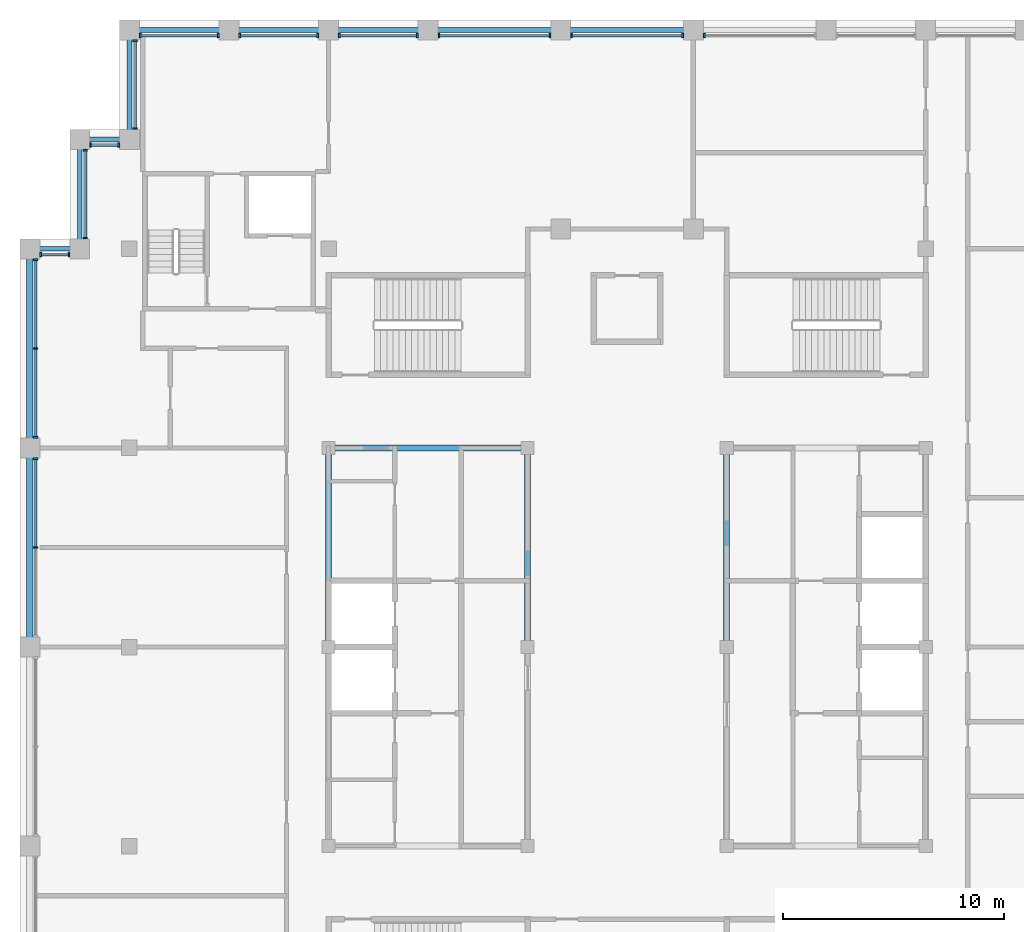
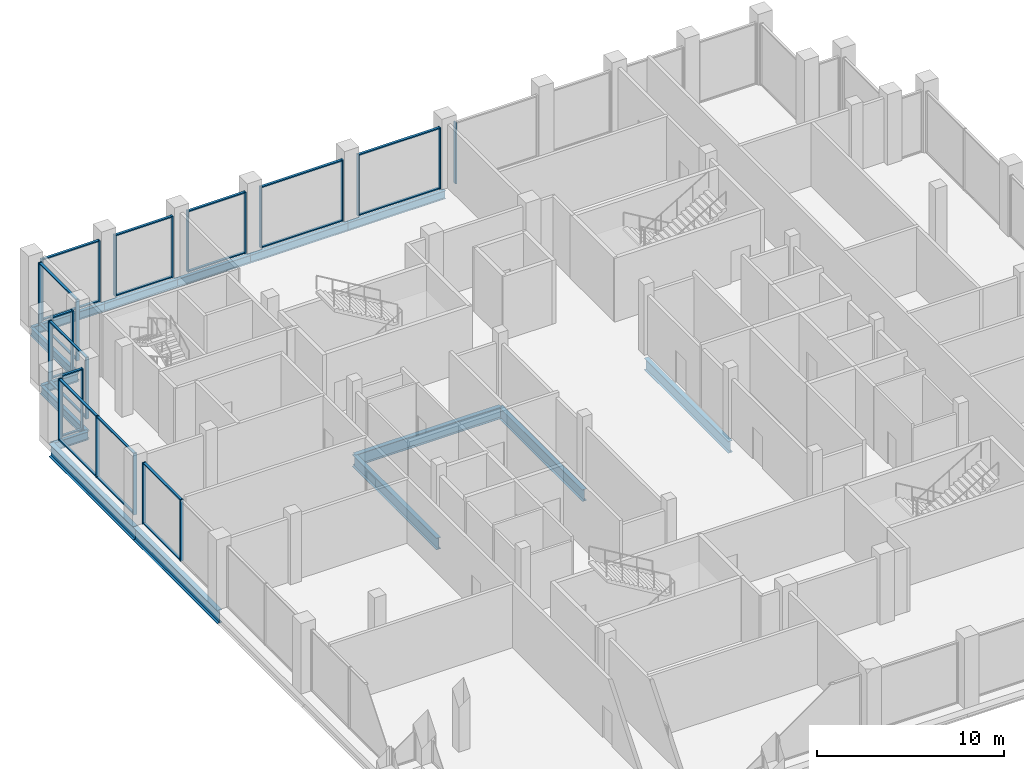
# One storey, part 5 of 13: 48 members, 15 beams, 12 elements without a shape of their own.
"""IFC4 building model written with IfcOpenShell, lengths in metres."""

from ifc_helpers import new_model, si_unit, direction, frame, origin, origin_2d, place, context, subcontext, project, spatial, rectangle, i_section, extrude, material, layer, layer_set, material_profile, profile_set, type_object, element, aggregate, save


model = new_model("IFC4")

# Units and contexts
model_context = context("Model", 3, precision=1e-05, world=origin(), true_north=direction((0.0, 1.0)))
body_context = subcontext(model_context, "Body", "Model", "MODEL_VIEW")
ifc_project = project(units=[si_unit("LENGTHUNIT", "METRE"), si_unit("AREAUNIT", "SQUARE_METRE"), si_unit("VOLUMEUNIT", "CUBIC_METRE"), si_unit("PLANEANGLEUNIT", "RADIAN"), si_unit("MASSUNIT", "GRAM", prefix="KILO")], contexts=[model_context])

# Site, building, storey
site_placement = place(None, origin())
site = spatial("IfcSite", under=ifc_project, at=site_placement, CompositionType="ELEMENT")
building_placement = place(site_placement, origin())
building = spatial("IfcBuilding", under=site, at=building_placement, Name="Corbelhall Arena Tower", CompositionType="ELEMENT")
storey_placement = place(building_placement, frame((0.0, 0.0, 361.0)))
storey = spatial("IfcBuildingStorey", under=building, at=storey_placement, Name="L79", CompositionType="ELEMENT", Elevation=361.0)

# Curtain wall, members
ifc_material_1 = material(Name="Aluminium black anodised", Category="aluminium")
ifc_layer = layer(ifc_material_1, 0.179931640625)
ifc_layer_set = layer_set([ifc_layer], Name="EV-CW3 Crown glazing")
curtain_wall_type = type_object("IfcCurtainWallType", Name="EV-CW3 Crown glazing", PredefinedType="NOTDEFINED", material=ifc_layer_set)
curtain_wall_1_placement = place(storey_placement, origin())
curtain_wall_1 = element("IfcCurtainWall", 1, at=curtain_wall_1_placement, inside=storey, type_object=curtain_wall_type, Name="Curtain wall CW3", PredefinedType="NOTDEFINED")
ifc_material_profile_1 = material_profile(ifc_material_1, rectangle(XDim=0.199951171875, YDim=0.074951171875, at=origin_2d()))
ifc_profile_set_1 = profile_set([ifc_material_profile_1], Name="Aluminium black anodised")
member_type_1 = type_object("IfcMemberType", Name="EV-CW3-MULLION", PredefinedType="MULLION", material=ifc_profile_set_1)
member_1_placement = place(storey_placement, frame((-24.5, 22.46240234375, 0.0), z_axis=(0.0, 0.0, 1.0), x_axis=(1.0, 0.0, 0.0)))
member_1 = element("IfcMember", 2, at=member_1_placement, type_object=member_type_1, Name="CW3 mullion 1", PredefinedType="MULLION", context=body_context, shape_type="SweptSolid", body=[
    extrude(rectangle(XDim=0.199951171875, YDim=0.074951171875, at=origin_2d()), origin(), (0.0, 0.0, 1.0), 3.99951171875),
])
member_2_placement = place(storey_placement, frame((-24.5, 18.487548828125, 0.0), z_axis=(0.0, 0.0, 1.0), x_axis=(1.0, 0.0, 0.0)))
member_2 = element("IfcMember", 3, at=member_2_placement, type_object=member_type_1, Name="CW3 mullion 2", PredefinedType="MULLION", context=body_context, shape_type="SweptSolid", body=[
    extrude(rectangle(XDim=0.199951171875, YDim=0.074951171875, at=origin_2d()), origin(), (0.0, 0.0, 1.0), 3.99951171875),
])

curtain_wall_2_placement = place(storey_placement, origin())
curtain_wall_2 = element("IfcCurtainWall", 4, at=curtain_wall_2_placement, inside=storey, type_object=curtain_wall_type, Name="Curtain wall CW3B", PredefinedType="NOTDEFINED")
member_3_placement = place(storey_placement, frame((-25.237548828125, 17.75, 0.0), z_axis=(0.0, 0.0, 1.0), x_axis=(0.0, -1.0, 0.0)))
member_3 = element("IfcMember", 5, at=member_3_placement, type_object=member_type_1, Name="CW3B mullion 1", PredefinedType="MULLION", context=body_context, shape_type="SweptSolid", body=[
    extrude(rectangle(XDim=0.199951171875, YDim=0.074951171875, at=origin_2d()), origin(), (0.0, 0.0, 1.0), 3.99951171875),
])
member_4_placement = place(storey_placement, frame((-26.512451171875, 17.75, 0.0), z_axis=(0.0, 0.0, 1.0), x_axis=(0.0, -1.0, 0.0)))
member_4 = element("IfcMember", 6, at=member_4_placement, type_object=member_type_1, Name="CW3B mullion 2", PredefinedType="MULLION", context=body_context, shape_type="SweptSolid", body=[
    extrude(rectangle(XDim=0.199951171875, YDim=0.074951171875, at=origin_2d()), origin(), (0.0, 0.0, 1.0), 3.99951171875),
])

curtain_wall_3_placement = place(storey_placement, origin())
curtain_wall_3 = element("IfcCurtainWall", 7, at=curtain_wall_3_placement, inside=storey, type_object=curtain_wall_type, Name="Curtain wall CW3", PredefinedType="NOTDEFINED")
member_5_placement = place(storey_placement, frame((-26.75, 17.512451171875, 0.0), z_axis=(0.0, 0.0, 1.0), x_axis=(1.0, 0.0, 0.0)))
member_5 = element("IfcMember", 8, at=member_5_placement, type_object=member_type_1, Name="CW3 mullion 1", PredefinedType="MULLION", context=body_context, shape_type="SweptSolid", body=[
    extrude(rectangle(XDim=0.199951171875, YDim=0.074951171875, at=origin_2d()), origin(), (0.0, 0.0, 1.0), 3.99951171875),
])
member_6_placement = place(storey_placement, frame((-26.75, 13.5, 0.0), z_axis=(0.0, 0.0, 1.0), x_axis=(1.0, 0.0, 0.0)))
member_6 = element("IfcMember", 9, at=member_6_placement, type_object=member_type_1, Name="CW3 mullion 2", PredefinedType="MULLION", context=body_context, shape_type="SweptSolid", body=[
    extrude(rectangle(XDim=0.199951171875, YDim=0.074951171875, at=origin_2d()), origin(), (0.0, 0.0, 1.0), 3.99951171875),
])
member_7_placement = place(storey_placement, frame((-26.75, 9.487548828125, 0.0), z_axis=(0.0, 0.0, 1.0), x_axis=(1.0, 0.0, 0.0)))
member_7 = element("IfcMember", 10, at=member_7_placement, type_object=member_type_1, Name="CW3 mullion 3", PredefinedType="MULLION", context=body_context, shape_type="SweptSolid", body=[
    extrude(rectangle(XDim=0.199951171875, YDim=0.074951171875, at=origin_2d()), origin(), (0.0, 0.0, 1.0), 3.99951171875),
])

curtain_wall_4_placement = place(storey_placement, origin())
curtain_wall_4 = element("IfcCurtainWall", 11, at=curtain_wall_4_placement, inside=storey, type_object=curtain_wall_type, Name="Curtain wall CW3", PredefinedType="NOTDEFINED")
member_8_placement = place(storey_placement, frame((-26.75, 8.512451171875, 0.0), z_axis=(0.0, 0.0, 1.0), x_axis=(1.0, 0.0, 0.0)))
member_8 = element("IfcMember", 12, at=member_8_placement, type_object=member_type_1, Name="CW3 mullion 1", PredefinedType="MULLION", context=body_context, shape_type="SweptSolid", body=[
    extrude(rectangle(XDim=0.199951171875, YDim=0.074951171875, at=origin_2d()), origin(), (0.0, 0.0, 1.0), 3.99951171875),
])
member_9_placement = place(storey_placement, frame((-26.75, 4.5, 0.0), z_axis=(0.0, 0.0, 1.0), x_axis=(1.0, 0.0, 0.0)))
member_9 = element("IfcMember", 13, at=member_9_placement, type_object=member_type_1, Name="CW3 mullion 2", PredefinedType="MULLION", context=body_context, shape_type="SweptSolid", body=[
    extrude(rectangle(XDim=0.199951171875, YDim=0.074951171875, at=origin_2d()), origin(), (0.0, 0.0, 1.0), 3.99951171875),
])

# Curtain wall, member
curtain_wall_5_placement = place(storey_placement, origin())
curtain_wall_5 = element("IfcCurtainWall", 14, at=curtain_wall_5_placement, inside=storey, type_object=curtain_wall_type, Name="Curtain wall CW3C", PredefinedType="NOTDEFINED")
member_10_placement = place(storey_placement, frame((3.487548828125, 27.64990234375, 0.0), z_axis=(0.0, 0.0, 1.0), x_axis=(0.0, -1.0, 0.0)))
member_10 = element("IfcMember", 15, at=member_10_placement, type_object=member_type_1, Name="CW3C mullion 2", PredefinedType="MULLION", context=body_context, shape_type="SweptSolid", body=[
    extrude(rectangle(XDim=0.199951171875, YDim=0.074951171875, at=origin_2d()), origin(), (0.0, 0.0, 1.0), 3.99951171875),
])
aggregate(curtain_wall_5, [member_10])

# Curtain wall, members
curtain_wall_6_placement = place(storey_placement, origin())
curtain_wall_6 = element("IfcCurtainWall", 16, at=curtain_wall_6_placement, inside=storey, type_object=curtain_wall_type, Name="Curtain wall CW3C", PredefinedType="NOTDEFINED")
member_11_placement = place(storey_placement, frame((2.512451171875, 27.64990234375, 0.0), z_axis=(0.0, 0.0, 1.0), x_axis=(0.0, -1.0, 0.0)))
member_11 = element("IfcMember", 17, at=member_11_placement, type_object=member_type_1, Name="CW3C mullion 1", PredefinedType="MULLION", context=body_context, shape_type="SweptSolid", body=[
    extrude(rectangle(XDim=0.199951171875, YDim=0.074951171875, at=origin_2d()), origin(), (0.0, 0.0, 1.0), 3.99951171875),
])
member_12_placement = place(storey_placement, frame((-2.512451171875, 27.64990234375, 0.0), z_axis=(0.0, 0.0, 1.0), x_axis=(0.0, -1.0, 0.0)))
member_12 = element("IfcMember", 18, at=member_12_placement, type_object=member_type_1, Name="CW3C mullion 2", PredefinedType="MULLION", context=body_context, shape_type="SweptSolid", body=[
    extrude(rectangle(XDim=0.199951171875, YDim=0.074951171875, at=origin_2d()), origin(), (0.0, 0.0, 1.0), 3.99951171875),
])

curtain_wall_7_placement = place(storey_placement, origin())
curtain_wall_7 = element("IfcCurtainWall", 19, at=curtain_wall_7_placement, inside=storey, type_object=curtain_wall_type, Name="Curtain wall CW3C", PredefinedType="NOTDEFINED")
member_13_placement = place(storey_placement, frame((-3.487548828125, 27.64990234375, 0.0), z_axis=(0.0, 0.0, 1.0), x_axis=(0.0, -1.0, 0.0)))
member_13 = element("IfcMember", 20, at=member_13_placement, type_object=member_type_1, Name="CW3C mullion 1", PredefinedType="MULLION", context=body_context, shape_type="SweptSolid", body=[
    extrude(rectangle(XDim=0.199951171875, YDim=0.074951171875, at=origin_2d()), origin(), (0.0, 0.0, 1.0), 3.99951171875),
])
member_14_placement = place(storey_placement, frame((-8.512451171875, 27.64990234375, 0.0), z_axis=(0.0, 0.0, 1.0), x_axis=(0.0, -1.0, 0.0)))
member_14 = element("IfcMember", 21, at=member_14_placement, type_object=member_type_1, Name="CW3C mullion 2", PredefinedType="MULLION", context=body_context, shape_type="SweptSolid", body=[
    extrude(rectangle(XDim=0.199951171875, YDim=0.074951171875, at=origin_2d()), origin(), (0.0, 0.0, 1.0), 3.99951171875),
])

curtain_wall_8_placement = place(storey_placement, origin())
curtain_wall_8 = element("IfcCurtainWall", 22, at=curtain_wall_8_placement, inside=storey, type_object=curtain_wall_type, Name="Curtain wall CW3A", PredefinedType="NOTDEFINED")
member_15_placement = place(storey_placement, frame((-9.487548828125, 27.64990234375, 0.0), z_axis=(0.0, 0.0, 1.0), x_axis=(0.0, -1.0, 0.0)))
member_15 = element("IfcMember", 23, at=member_15_placement, type_object=member_type_1, Name="CW3A mullion 1", PredefinedType="MULLION", context=body_context, shape_type="SweptSolid", body=[
    extrude(rectangle(XDim=0.199951171875, YDim=0.074951171875, at=origin_2d()), origin(), (0.0, 0.0, 1.0), 3.99951171875),
])
member_16_placement = place(storey_placement, frame((-13.012451171875, 27.64990234375, 0.0), z_axis=(0.0, 0.0, 1.0), x_axis=(0.0, -1.0, 0.0)))
member_16 = element("IfcMember", 24, at=member_16_placement, type_object=member_type_1, Name="CW3A mullion 2", PredefinedType="MULLION", context=body_context, shape_type="SweptSolid", body=[
    extrude(rectangle(XDim=0.199951171875, YDim=0.074951171875, at=origin_2d()), origin(), (0.0, 0.0, 1.0), 3.99951171875),
])

curtain_wall_9_placement = place(storey_placement, origin())
curtain_wall_9 = element("IfcCurtainWall", 25, at=curtain_wall_9_placement, inside=storey, type_object=curtain_wall_type, Name="Curtain wall CW3A", PredefinedType="NOTDEFINED")
member_17_placement = place(storey_placement, frame((-13.987548828125, 27.64990234375, 0.0), z_axis=(0.0, 0.0, 1.0), x_axis=(0.0, -1.0, 0.0)))
member_17 = element("IfcMember", 26, at=member_17_placement, type_object=member_type_1, Name="CW3A mullion 1", PredefinedType="MULLION", context=body_context, shape_type="SweptSolid", body=[
    extrude(rectangle(XDim=0.199951171875, YDim=0.074951171875, at=origin_2d()), origin(), (0.0, 0.0, 1.0), 3.99951171875),
])
member_18_placement = place(storey_placement, frame((-17.512451171875, 27.64990234375, 0.0), z_axis=(0.0, 0.0, 1.0), x_axis=(0.0, -1.0, 0.0)))
member_18 = element("IfcMember", 27, at=member_18_placement, type_object=member_type_1, Name="CW3A mullion 2", PredefinedType="MULLION", context=body_context, shape_type="SweptSolid", body=[
    extrude(rectangle(XDim=0.199951171875, YDim=0.074951171875, at=origin_2d()), origin(), (0.0, 0.0, 1.0), 3.99951171875),
])

curtain_wall_10_placement = place(storey_placement, origin())
curtain_wall_10 = element("IfcCurtainWall", 28, at=curtain_wall_10_placement, inside=storey, type_object=curtain_wall_type, Name="Curtain wall CW3A", PredefinedType="NOTDEFINED")
member_19_placement = place(storey_placement, frame((-18.487548828125, 27.64990234375, 0.0), z_axis=(0.0, 0.0, 1.0), x_axis=(0.0, -1.0, 0.0)))
member_19 = element("IfcMember", 29, at=member_19_placement, type_object=member_type_1, Name="CW3A mullion 1", PredefinedType="MULLION", context=body_context, shape_type="SweptSolid", body=[
    extrude(rectangle(XDim=0.199951171875, YDim=0.074951171875, at=origin_2d()), origin(), (0.0, 0.0, 1.0), 3.99951171875),
])
member_20_placement = place(storey_placement, frame((-22.012451171875, 27.64990234375, 0.0), z_axis=(0.0, 0.0, 1.0), x_axis=(0.0, -1.0, 0.0)))
member_20 = element("IfcMember", 30, at=member_20_placement, type_object=member_type_1, Name="CW3A mullion 2", PredefinedType="MULLION", context=body_context, shape_type="SweptSolid", body=[
    extrude(rectangle(XDim=0.199951171875, YDim=0.074951171875, at=origin_2d()), origin(), (0.0, 0.0, 1.0), 3.99951171875),
])

curtain_wall_11_placement = place(storey_placement, origin())
curtain_wall_11 = element("IfcCurtainWall", 31, at=curtain_wall_11_placement, inside=storey, type_object=curtain_wall_type, Name="Curtain wall CW3", PredefinedType="NOTDEFINED")
member_21_placement = place(storey_placement, frame((-22.25, 27.41259765625, 0.0), z_axis=(0.0, 0.0, 1.0), x_axis=(1.0, 0.0, 0.0)))
member_21 = element("IfcMember", 32, at=member_21_placement, type_object=member_type_1, Name="CW3 mullion 1", PredefinedType="MULLION", context=body_context, shape_type="SweptSolid", body=[
    extrude(rectangle(XDim=0.199951171875, YDim=0.074951171875, at=origin_2d()), origin(), (0.0, 0.0, 1.0), 3.99951171875),
])
member_22_placement = place(storey_placement, frame((-22.25, 23.4375, 0.0), z_axis=(0.0, 0.0, 1.0), x_axis=(1.0, 0.0, 0.0)))
member_22 = element("IfcMember", 33, at=member_22_placement, type_object=member_type_1, Name="CW3 mullion 2", PredefinedType="MULLION", context=body_context, shape_type="SweptSolid", body=[
    extrude(rectangle(XDim=0.199951171875, YDim=0.074951171875, at=origin_2d()), origin(), (0.0, 0.0, 1.0), 3.99951171875),
])

curtain_wall_12_placement = place(storey_placement, origin())
curtain_wall_12 = element("IfcCurtainWall", 34, at=curtain_wall_12_placement, inside=storey, type_object=curtain_wall_type, Name="Curtain wall CW3B", PredefinedType="NOTDEFINED")
member_23_placement = place(storey_placement, frame((-22.987548828125, 22.699951171875, 0.0), z_axis=(0.0, 0.0, 1.0), x_axis=(0.0, -1.0, 0.0)))
member_23 = element("IfcMember", 35, at=member_23_placement, type_object=member_type_1, Name="CW3B mullion 1", PredefinedType="MULLION", context=body_context, shape_type="SweptSolid", body=[
    extrude(rectangle(XDim=0.199951171875, YDim=0.074951171875, at=origin_2d()), origin(), (0.0, 0.0, 1.0), 3.99951171875),
])
member_24_placement = place(storey_placement, frame((-24.262451171875, 22.699951171875, 0.0), z_axis=(0.0, 0.0, 1.0), x_axis=(0.0, -1.0, 0.0)))
member_24 = element("IfcMember", 36, at=member_24_placement, type_object=member_type_1, Name="CW3B mullion 2", PredefinedType="MULLION", context=body_context, shape_type="SweptSolid", body=[
    extrude(rectangle(XDim=0.199951171875, YDim=0.074951171875, at=origin_2d()), origin(), (0.0, 0.0, 1.0), 3.99951171875),
])

# Member
ifc_material_profile_2 = material_profile(ifc_material_1, rectangle(XDim=0.14990234375, YDim=0.074951171875, at=origin_2d()))
ifc_profile_set_2 = profile_set([ifc_material_profile_2], Name="Aluminium black anodised")
member_type_2 = type_object("IfcMemberType", Name="EV-CW3-TRANSOM", PredefinedType="USERDEFINED", material=ifc_profile_set_2)
member_25_placement = place(storey_placement, frame((-24.5, 22.425048828125, 0.03759765625), z_axis=(0.0, -1.0, 0.0), x_axis=(1.0, 0.0, 0.0)))
member_25 = element("IfcMember", 37, at=member_25_placement, type_object=member_type_2, Name="CW3 transom 1.1", ObjectType="transom", PredefinedType="USERDEFINED", context=body_context, shape_type="SweptSolid", body=[
    extrude(rectangle(XDim=0.14990234375, YDim=0.074951171875, at=origin_2d()), origin(), (0.0, 0.0, 1.0), 3.900146484375),
])

member_26_placement = place(storey_placement, frame((-24.5, 22.425048828125, 3.962158203125), z_axis=(0.0, -1.0, 0.0), x_axis=(1.0, 0.0, 0.0)))
member_26 = element("IfcMember", 38, at=member_26_placement, type_object=member_type_2, Name="CW3 transom 1.2", ObjectType="transom", PredefinedType="USERDEFINED", context=body_context, shape_type="SweptSolid", body=[
    extrude(rectangle(XDim=0.14990234375, YDim=0.074951171875, at=origin_2d()), origin(), (0.0, 0.0, 1.0), 3.900146484375),
])

aggregate(curtain_wall_1, [member_1, member_2, member_25, member_26])

member_27_placement = place(storey_placement, frame((-25.27490234375, 17.75, 0.03759765625), z_axis=(-1.0, 0.0, 0.0), x_axis=(0.0, -1.0, 0.0)))
member_27 = element("IfcMember", 39, at=member_27_placement, type_object=member_type_2, Name="CW3B transom 1.1", ObjectType="transom", PredefinedType="USERDEFINED", context=body_context, shape_type="SweptSolid", body=[
    extrude(rectangle(XDim=0.14990234375, YDim=0.074951171875, at=origin_2d()), origin(), (0.0, 0.0, 1.0), 1.2001953125),
])

member_28_placement = place(storey_placement, frame((-25.27490234375, 17.75, 3.962158203125), z_axis=(-1.0, 0.0, 0.0), x_axis=(0.0, -1.0, 0.0)))
member_28 = element("IfcMember", 40, at=member_28_placement, type_object=member_type_2, Name="CW3B transom 1.2", ObjectType="transom", PredefinedType="USERDEFINED", context=body_context, shape_type="SweptSolid", body=[
    extrude(rectangle(XDim=0.14990234375, YDim=0.074951171875, at=origin_2d()), origin(), (0.0, 0.0, 1.0), 1.2001953125),
])

aggregate(curtain_wall_2, [member_3, member_4, member_27, member_28])

member_29_placement = place(storey_placement, frame((-26.75, 17.47509765625, 0.03759765625), z_axis=(0.0, -1.0, 0.0), x_axis=(1.0, 0.0, 0.0)))
member_29 = element("IfcMember", 41, at=member_29_placement, type_object=member_type_2, Name="CW3 transom 1.1", ObjectType="transom", PredefinedType="USERDEFINED", context=body_context, shape_type="SweptSolid", body=[
    extrude(rectangle(XDim=0.14990234375, YDim=0.074951171875, at=origin_2d()), origin(), (0.0, 0.0, 1.0), 3.9375),
])

member_30_placement = place(storey_placement, frame((-26.75, 17.47509765625, 3.962158203125), z_axis=(0.0, -1.0, 0.0), x_axis=(1.0, 0.0, 0.0)))
member_30 = element("IfcMember", 42, at=member_30_placement, type_object=member_type_2, Name="CW3 transom 1.2", ObjectType="transom", PredefinedType="USERDEFINED", context=body_context, shape_type="SweptSolid", body=[
    extrude(rectangle(XDim=0.14990234375, YDim=0.074951171875, at=origin_2d()), origin(), (0.0, 0.0, 1.0), 3.9375),
])

member_31_placement = place(storey_placement, frame((-26.75, 13.46240234375, 0.03759765625), z_axis=(0.0, -1.0, 0.0), x_axis=(1.0, 0.0, 0.0)))
member_31 = element("IfcMember", 43, at=member_31_placement, type_object=member_type_2, Name="CW3 transom 2.1", ObjectType="transom", PredefinedType="USERDEFINED", context=body_context, shape_type="SweptSolid", body=[
    extrude(rectangle(XDim=0.14990234375, YDim=0.074951171875, at=origin_2d()), origin(), (0.0, 0.0, 1.0), 3.9375),
])

member_32_placement = place(storey_placement, frame((-26.75, 13.46240234375, 3.962158203125), z_axis=(0.0, -1.0, 0.0), x_axis=(1.0, 0.0, 0.0)))
member_32 = element("IfcMember", 44, at=member_32_placement, type_object=member_type_2, Name="CW3 transom 2.2", ObjectType="transom", PredefinedType="USERDEFINED", context=body_context, shape_type="SweptSolid", body=[
    extrude(rectangle(XDim=0.14990234375, YDim=0.074951171875, at=origin_2d()), origin(), (0.0, 0.0, 1.0), 3.9375),
])

aggregate(curtain_wall_3, [member_5, member_6, member_7, member_29, member_30, member_31, member_32])

member_33_placement = place(storey_placement, frame((-26.75, 8.47509765625, 0.03759765625), z_axis=(0.0, -1.0, 0.0), x_axis=(1.0, 0.0, 0.0)))
member_33 = element("IfcMember", 45, at=member_33_placement, type_object=member_type_2, Name="CW3 transom 1.1", ObjectType="transom", PredefinedType="USERDEFINED", context=body_context, shape_type="SweptSolid", body=[
    extrude(rectangle(XDim=0.14990234375, YDim=0.074951171875, at=origin_2d()), origin(), (0.0, 0.0, 1.0), 3.9375),
])

member_34_placement = place(storey_placement, frame((-26.75, 8.47509765625, 3.962158203125), z_axis=(0.0, -1.0, 0.0), x_axis=(1.0, 0.0, 0.0)))
member_34 = element("IfcMember", 46, at=member_34_placement, type_object=member_type_2, Name="CW3 transom 1.2", ObjectType="transom", PredefinedType="USERDEFINED", context=body_context, shape_type="SweptSolid", body=[
    extrude(rectangle(XDim=0.14990234375, YDim=0.074951171875, at=origin_2d()), origin(), (0.0, 0.0, 1.0), 3.9375),
])

aggregate(curtain_wall_4, [member_8, member_9, member_33, member_34])

member_35_placement = place(storey_placement, frame((2.47509765625, 27.64990234375, 0.03759765625), z_axis=(-1.0, 0.0, 0.0), x_axis=(0.0, -1.0, 0.0)))
member_35 = element("IfcMember", 47, at=member_35_placement, type_object=member_type_2, Name="CW3C transom 1.1", ObjectType="transom", PredefinedType="USERDEFINED", context=body_context, shape_type="SweptSolid", body=[
    extrude(rectangle(XDim=0.14990234375, YDim=0.074951171875, at=origin_2d()), origin(), (0.0, 0.0, 1.0), 4.9501953125),
])

member_36_placement = place(storey_placement, frame((2.47509765625, 27.64990234375, 3.962158203125), z_axis=(-1.0, 0.0, 0.0), x_axis=(0.0, -1.0, 0.0)))
member_36 = element("IfcMember", 48, at=member_36_placement, type_object=member_type_2, Name="CW3C transom 1.2", ObjectType="transom", PredefinedType="USERDEFINED", context=body_context, shape_type="SweptSolid", body=[
    extrude(rectangle(XDim=0.14990234375, YDim=0.074951171875, at=origin_2d()), origin(), (0.0, 0.0, 1.0), 4.9501953125),
])

aggregate(curtain_wall_6, [member_11, member_12, member_35, member_36])

member_37_placement = place(storey_placement, frame((-3.52490234375, 27.64990234375, 0.03759765625), z_axis=(-1.0, 0.0, 0.0), x_axis=(0.0, -1.0, 0.0)))
member_37 = element("IfcMember", 49, at=member_37_placement, type_object=member_type_2, Name="CW3C transom 1.1", ObjectType="transom", PredefinedType="USERDEFINED", context=body_context, shape_type="SweptSolid", body=[
    extrude(rectangle(XDim=0.14990234375, YDim=0.074951171875, at=origin_2d()), origin(), (0.0, 0.0, 1.0), 4.9501953125),
])

member_38_placement = place(storey_placement, frame((-3.52490234375, 27.64990234375, 3.962158203125), z_axis=(-1.0, 0.0, 0.0), x_axis=(0.0, -1.0, 0.0)))
member_38 = element("IfcMember", 50, at=member_38_placement, type_object=member_type_2, Name="CW3C transom 1.2", ObjectType="transom", PredefinedType="USERDEFINED", context=body_context, shape_type="SweptSolid", body=[
    extrude(rectangle(XDim=0.14990234375, YDim=0.074951171875, at=origin_2d()), origin(), (0.0, 0.0, 1.0), 4.9501953125),
])

aggregate(curtain_wall_7, [member_13, member_14, member_37, member_38])

member_39_placement = place(storey_placement, frame((-9.52490234375, 27.64990234375, 0.03759765625), z_axis=(-1.0, 0.0, 0.0), x_axis=(0.0, -1.0, 0.0)))
member_39 = element("IfcMember", 51, at=member_39_placement, type_object=member_type_2, Name="CW3A transom 1.1", ObjectType="transom", PredefinedType="USERDEFINED", context=body_context, shape_type="SweptSolid", body=[
    extrude(rectangle(XDim=0.14990234375, YDim=0.074951171875, at=origin_2d()), origin(), (0.0, 0.0, 1.0), 3.4501953125),
])

member_40_placement = place(storey_placement, frame((-9.52490234375, 27.64990234375, 3.962158203125), z_axis=(-1.0, 0.0, 0.0), x_axis=(0.0, -1.0, 0.0)))
member_40 = element("IfcMember", 52, at=member_40_placement, type_object=member_type_2, Name="CW3A transom 1.2", ObjectType="transom", PredefinedType="USERDEFINED", context=body_context, shape_type="SweptSolid", body=[
    extrude(rectangle(XDim=0.14990234375, YDim=0.074951171875, at=origin_2d()), origin(), (0.0, 0.0, 1.0), 3.4501953125),
])

aggregate(curtain_wall_8, [member_15, member_16, member_39, member_40])

member_41_placement = place(storey_placement, frame((-14.02490234375, 27.64990234375, 0.03759765625), z_axis=(-1.0, 0.0, 0.0), x_axis=(0.0, -1.0, 0.0)))
member_41 = element("IfcMember", 53, at=member_41_placement, type_object=member_type_2, Name="CW3A transom 1.1", ObjectType="transom", PredefinedType="USERDEFINED", context=body_context, shape_type="SweptSolid", body=[
    extrude(rectangle(XDim=0.14990234375, YDim=0.074951171875, at=origin_2d()), origin(), (0.0, 0.0, 1.0), 3.4501953125),
])

member_42_placement = place(storey_placement, frame((-14.02490234375, 27.64990234375, 3.962158203125), z_axis=(-1.0, 0.0, 0.0), x_axis=(0.0, -1.0, 0.0)))
member_42 = element("IfcMember", 54, at=member_42_placement, type_object=member_type_2, Name="CW3A transom 1.2", ObjectType="transom", PredefinedType="USERDEFINED", context=body_context, shape_type="SweptSolid", body=[
    extrude(rectangle(XDim=0.14990234375, YDim=0.074951171875, at=origin_2d()), origin(), (0.0, 0.0, 1.0), 3.4501953125),
])

aggregate(curtain_wall_9, [member_17, member_18, member_41, member_42])

member_43_placement = place(storey_placement, frame((-18.52490234375, 27.64990234375, 0.03759765625), z_axis=(-1.0, 0.0, 0.0), x_axis=(0.0, -1.0, 0.0)))
member_43 = element("IfcMember", 55, at=member_43_placement, type_object=member_type_2, Name="CW3A transom 1.1", ObjectType="transom", PredefinedType="USERDEFINED", context=body_context, shape_type="SweptSolid", body=[
    extrude(rectangle(XDim=0.14990234375, YDim=0.074951171875, at=origin_2d()), origin(), (0.0, 0.0, 1.0), 3.4501953125),
])

member_44_placement = place(storey_placement, frame((-18.52490234375, 27.64990234375, 3.962158203125), z_axis=(-1.0, 0.0, 0.0), x_axis=(0.0, -1.0, 0.0)))
member_44 = element("IfcMember", 56, at=member_44_placement, type_object=member_type_2, Name="CW3A transom 1.2", ObjectType="transom", PredefinedType="USERDEFINED", context=body_context, shape_type="SweptSolid", body=[
    extrude(rectangle(XDim=0.14990234375, YDim=0.074951171875, at=origin_2d()), origin(), (0.0, 0.0, 1.0), 3.4501953125),
])

aggregate(curtain_wall_10, [member_19, member_20, member_43, member_44])

member_45_placement = place(storey_placement, frame((-22.25, 27.375, 0.03759765625), z_axis=(0.0, -1.0, 0.0), x_axis=(1.0, 0.0, 0.0)))
member_45 = element("IfcMember", 57, at=member_45_placement, type_object=member_type_2, Name="CW3 transom 1.1", ObjectType="transom", PredefinedType="USERDEFINED", context=body_context, shape_type="SweptSolid", body=[
    extrude(rectangle(XDim=0.14990234375, YDim=0.074951171875, at=origin_2d()), origin(), (0.0, 0.0, 1.0), 3.89990234375),
])

member_46_placement = place(storey_placement, frame((-22.25, 27.375, 3.962158203125), z_axis=(0.0, -1.0, 0.0), x_axis=(1.0, 0.0, 0.0)))
member_46 = element("IfcMember", 58, at=member_46_placement, type_object=member_type_2, Name="CW3 transom 1.2", ObjectType="transom", PredefinedType="USERDEFINED", context=body_context, shape_type="SweptSolid", body=[
    extrude(rectangle(XDim=0.14990234375, YDim=0.074951171875, at=origin_2d()), origin(), (0.0, 0.0, 1.0), 3.89990234375),
])

aggregate(curtain_wall_11, [member_21, member_22, member_45, member_46])

member_47_placement = place(storey_placement, frame((-23.02490234375, 22.699951171875, 0.03759765625), z_axis=(-1.0, 0.0, 0.0), x_axis=(0.0, -1.0, 0.0)))
member_47 = element("IfcMember", 59, at=member_47_placement, type_object=member_type_2, Name="CW3B transom 1.1", ObjectType="transom", PredefinedType="USERDEFINED", context=body_context, shape_type="SweptSolid", body=[
    extrude(rectangle(XDim=0.14990234375, YDim=0.074951171875, at=origin_2d()), origin(), (0.0, 0.0, 1.0), 1.2001953125),
])

member_48_placement = place(storey_placement, frame((-23.02490234375, 22.699951171875, 3.962158203125), z_axis=(-1.0, 0.0, 0.0), x_axis=(0.0, -1.0, 0.0)))
member_48 = element("IfcMember", 60, at=member_48_placement, type_object=member_type_2, Name="CW3B transom 1.2", ObjectType="transom", PredefinedType="USERDEFINED", context=body_context, shape_type="SweptSolid", body=[
    extrude(rectangle(XDim=0.14990234375, YDim=0.074951171875, at=origin_2d()), origin(), (0.0, 0.0, 1.0), 1.2001953125),
])

aggregate(curtain_wall_12, [member_23, member_24, member_47, member_48])

# Beams
ifc_material_2 = material(Name="Steel ASTM A992 Gr50", Category="steel")
ifc_material_profile_3 = material_profile(ifc_material_2, i_section(OverallWidth=0.2666015625, OverallDepth=0.761962890625, WebThickness=0.014404296875, FlangeThickness=0.021484375, at=origin_2d()))
ifc_profile_set_3 = profile_set([ifc_material_profile_3], Name="Steel ASTM A992 Gr50")
beam_type_1 = type_object("IfcBeamType", Name="ST-BEAM-W30x116", PredefinedType="BEAM", material=ifc_profile_set_3)
for number, where, z_axis, x_axis, name in (
    (61, (-13.5, 0.0, -0.781494140625), (0.0, 1.0, 0.0), (-1.0, 0.0, 0.0), "Beam CEW 2"),
    (62, (-4.5, 0.0, -0.781494140625), (0.0, 1.0, 0.0), (-1.0, 0.0, 0.0), "Beam CEW 4"),
    (63, (-13.5, 9.0, -0.781494140625), (1.0, 0.0, 0.0), (0.0, 1.0, 0.0), "Beam CEW 6"),
    (64, (4.5, 0.0, -0.781494140625), (0.0, 1.0, 0.0), (-1.0, 0.0, 0.0), "Beam CEE 8"),
):
    element("IfcBeam", number, at=place(storey_placement, frame(where, z_axis=z_axis, x_axis=x_axis)), inside=storey, type_object=beam_type_1, Name=name, PredefinedType="BEAM", context=body_context, shape_type="SweptSolid", body=[
        extrude(i_section(OverallWidth=0.2666015625, OverallDepth=0.761962890625, WebThickness=0.014404296875, FlangeThickness=0.021484375, at=origin_2d()), origin(), (0.0, 0.0, 1.0), 9.0),
    ])
ifc_material_profile_4 = material_profile(ifc_material_2, i_section(OverallWidth=0.2099609375, OverallDepth=0.535888671875, WebThickness=0.010986328125, FlangeThickness=0.017333984375, at=origin_2d()))
ifc_profile_set_4 = profile_set([ifc_material_profile_4], Name="Steel ASTM A992 Gr50")
beam_type_2 = type_object("IfcBeamType", Name="ST-SPANDREL-W21x68", PredefinedType="SPANDREL", material=ifc_profile_set_4)
for number, where, z_axis, x_axis, name in (
    (65, (-3.0, 27.89990234375, -0.66845703125), (1.0, 0.0, 0.0), (0.0, 1.0, 0.0), "Beam SP 11"),
    (66, (-9.0, 27.89990234375, -0.66845703125), (1.0, 0.0, 0.0), (0.0, 1.0, 0.0), "Beam SP 12"),
):
    element("IfcBeam", number, at=place(storey_placement, frame(where, z_axis=z_axis, x_axis=x_axis)), inside=storey, type_object=beam_type_2, Name=name, PredefinedType="SPANDREL", context=body_context, shape_type="SweptSolid", body=[
        extrude(i_section(OverallWidth=0.2099609375, OverallDepth=0.535888671875, WebThickness=0.010986328125, FlangeThickness=0.017333984375, at=origin_2d()), origin(), (0.0, 0.0, 1.0), 6.0),
    ])
for number, where, z_axis, x_axis, name in (
    (67, (-13.5, 27.89990234375, -0.66845703125), (1.0, 0.0, 0.0), (0.0, 1.0, 0.0), "Beam SP 13"),
    (68, (-18.0, 27.89990234375, -0.66845703125), (1.0, 0.0, 0.0), (0.0, 1.0, 0.0), "Beam SP 14"),
    (69, (-22.5, 27.89990234375, -0.66845703125), (1.0, 0.0, 0.0), (0.0, 1.0, 0.0), "Beam SP 15"),
):
    element("IfcBeam", number, at=place(storey_placement, frame(where, z_axis=z_axis, x_axis=x_axis)), inside=storey, type_object=beam_type_2, Name=name, PredefinedType="SPANDREL", context=body_context, shape_type="SweptSolid", body=[
        extrude(i_section(OverallWidth=0.2099609375, OverallDepth=0.535888671875, WebThickness=0.010986328125, FlangeThickness=0.017333984375, at=origin_2d()), origin(), (0.0, 0.0, 1.0), 4.5),
    ])
beam_1_placement = place(storey_placement, frame((-27.0, 18.0, -0.66845703125), z_axis=(1.0, 0.0, 0.0), x_axis=(0.0, 1.0, 0.0)))
element("IfcBeam", 70, at=beam_1_placement, inside=storey, type_object=beam_type_2, Name="Beam SP 28", PredefinedType="SPANDREL", context=body_context, shape_type="SweptSolid", body=[
    extrude(i_section(OverallWidth=0.2099609375, OverallDepth=0.535888671875, WebThickness=0.010986328125, FlangeThickness=0.017333984375, at=origin_2d()), origin(), (0.0, 0.0, 1.0), 2.25),
])
beam_2_placement = place(storey_placement, frame((-22.5, 22.949951171875, -0.66845703125), z_axis=(0.0, 1.0, 0.0), x_axis=(-1.0, 0.0, 0.0)))
element("IfcBeam", 71, at=beam_2_placement, inside=storey, type_object=beam_type_2, Name="Beam SP 34", PredefinedType="SPANDREL", context=body_context, shape_type="SweptSolid", body=[
    extrude(i_section(OverallWidth=0.2099609375, OverallDepth=0.535888671875, WebThickness=0.010986328125, FlangeThickness=0.017333984375, at=origin_2d()), origin(), (0.0, 0.0, 1.0), 4.949951171875),
])
beam_3_placement = place(storey_placement, frame((-24.75, 22.949951171875, -0.66845703125), z_axis=(1.0, 0.0, 0.0), x_axis=(0.0, 1.0, 0.0)))
element("IfcBeam", 72, at=beam_3_placement, inside=storey, type_object=beam_type_2, Name="Beam SP 35", PredefinedType="SPANDREL", context=body_context, shape_type="SweptSolid", body=[
    extrude(i_section(OverallWidth=0.2099609375, OverallDepth=0.535888671875, WebThickness=0.010986328125, FlangeThickness=0.017333984375, at=origin_2d()), origin(), (0.0, 0.0, 1.0), 2.25),
])
beam_4_placement = place(storey_placement, frame((-24.75, 18.0, -0.66845703125), z_axis=(0.0, 1.0, 0.0), x_axis=(-1.0, 0.0, 0.0)))
element("IfcBeam", 73, at=beam_4_placement, inside=storey, type_object=beam_type_2, Name="Beam SP 36", PredefinedType="SPANDREL", context=body_context, shape_type="SweptSolid", body=[
    extrude(i_section(OverallWidth=0.2099609375, OverallDepth=0.535888671875, WebThickness=0.010986328125, FlangeThickness=0.017333984375, at=origin_2d()), origin(), (0.0, 0.0, 1.0), 4.949951171875),
])
ifc_material_profile_5 = material_profile(ifc_material_2, i_section(OverallWidth=0.2919921875, OverallDepth=0.845703125, WebThickness=0.015380859375, FlangeThickness=0.0244140625, at=origin_2d()))
ifc_profile_set_5 = profile_set([ifc_material_profile_5], Name="Steel ASTM A992 Gr50")
beam_type_3 = type_object("IfcBeamType", Name="ST-SPANDREL-W33x141", PredefinedType="SPANDREL", material=ifc_profile_set_5)
for number, where, z_axis, x_axis, name in (
    (74, (-27.0, 0.0, -0.8232421875), (0.0, 1.0, 0.0), (-1.0, 0.0, 0.0), "Beam SP 26"),
    (75, (-27.0, 9.0, -0.8232421875), (0.0, 1.0, 0.0), (-1.0, 0.0, 0.0), "Beam SP 27"),
):
    element("IfcBeam", number, at=place(storey_placement, frame(where, z_axis=z_axis, x_axis=x_axis)), inside=storey, type_object=beam_type_3, Name=name, PredefinedType="SPANDREL", context=body_context, shape_type="SweptSolid", body=[
        extrude(i_section(OverallWidth=0.2919921875, OverallDepth=0.845703125, WebThickness=0.015380859375, FlangeThickness=0.0244140625, at=origin_2d()), origin(), (0.0, 0.0, 1.0), 9.0),
    ])

save(model, "model.ifc")
